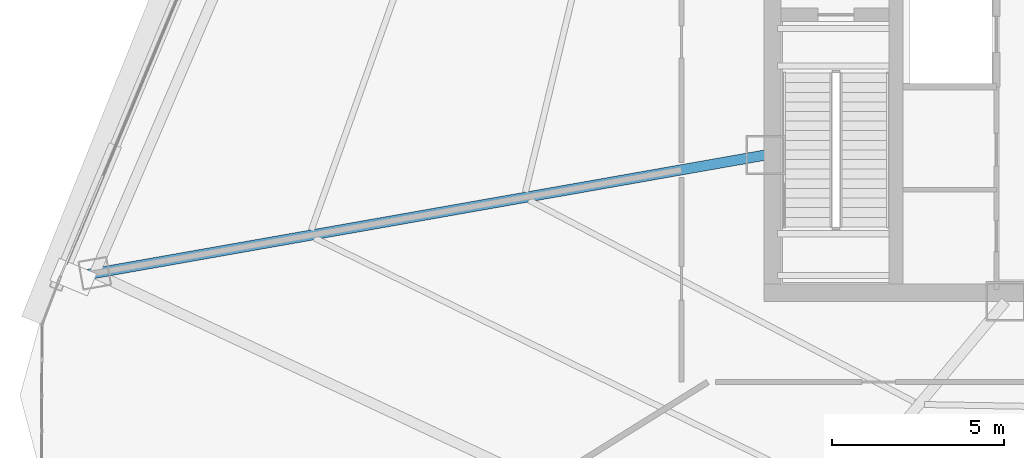
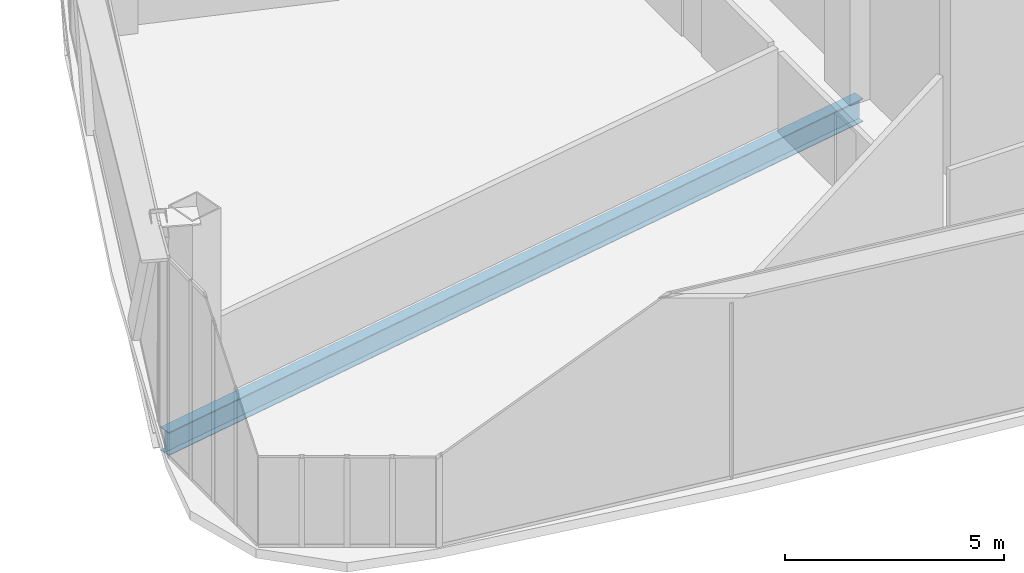
# One storey, part 5 of 38: 1 beam.
"""IFC4 building model written with IfcOpenShell, lengths in metres."""

from ifc_helpers import new_model, si_unit, direction, frame, origin, origin_2d, place, context, subcontext, project, spatial, i_section, extrude, source, transform, mapped, material, material_profile, profile_set, type_object, element, save


model = new_model("IFC4")

# Units and contexts
model_context = context("Model", 3, precision=1e-05, world=origin(), true_north=direction((0.0, 1.0)))
body_context = subcontext(model_context, "Body", "Model", "MODEL_VIEW")
ifc_project = project(units=[si_unit("LENGTHUNIT", "METRE"), si_unit("AREAUNIT", "SQUARE_METRE"), si_unit("VOLUMEUNIT", "CUBIC_METRE"), si_unit("PLANEANGLEUNIT", "RADIAN"), si_unit("MASSUNIT", "GRAM", prefix="KILO"), si_unit("THERMODYNAMICTEMPERATUREUNIT", "KELVIN"), si_unit("POWERUNIT", "WATT")], contexts=[model_context])

# Site, building, storey
site_placement = place(None, origin())
site = spatial("IfcSite", under=ifc_project, at=site_placement, CompositionType="ELEMENT")
building_placement = place(site_placement, origin())
building = spatial("IfcBuilding", under=site, at=building_placement, Name="Yunzhuo Pagoda Commons", CompositionType="ELEMENT")
storey_placement = place(building_placement, frame((0.0, 0.0, 266.909912109375)))
storey = spatial("IfcBuildingStorey", under=building, at=storey_placement, Name="L67", CompositionType="ELEMENT", Elevation=266.909912109375)

# Beam
ifc_material = material(Name="Structural steel Q355B", Category="steel")
ifc_material_profile = material_profile(ifc_material, i_section(OverallWidth=0.300048828125, OverallDepth=0.64990234375, WebThickness=0.012939453125, FlangeThickness=0.02197265625, at=origin_2d()), Name="Structural steel Q355B")
ifc_profile_set = profile_set([ifc_material_profile], Name="Structural steel Q355B")
beam_type = type_object("IfcBeamType", Name="B-RG2 Beam HN 650x300x13x22", PredefinedType="BEAM", material=ifc_profile_set)
shared_shape = source(origin(), body_context, "Body", "SweptSolid", [
    extrude(i_section(OverallWidth=0.300048828125, OverallDepth=0.64990234375, WebThickness=0.012939453125, FlangeThickness=0.02197265625, at=origin_2d()), origin(), (0.0, 0.0, 1.0), 20.73046875),
])
beam_placement = place(storey_placement, frame((15.1845703125, 27.913818359375, -0.5849609375), z_axis=(0.984809393914, 0.173638871396, 0.0), x_axis=(-0.173638871396, 0.984809393914, 0.0)))
element("IfcBeam", 1, at=beam_placement, inside=storey, type_object=beam_type, Name="L67 radial floor girder F3C4", PredefinedType="BEAM", context=body_context, shape_type="MappedRepresentation", body=[
    mapped(shared_shape, transform((0.0, 0.0, 0.0), scale=1.0)),
])

save(model, "model.ifc")
